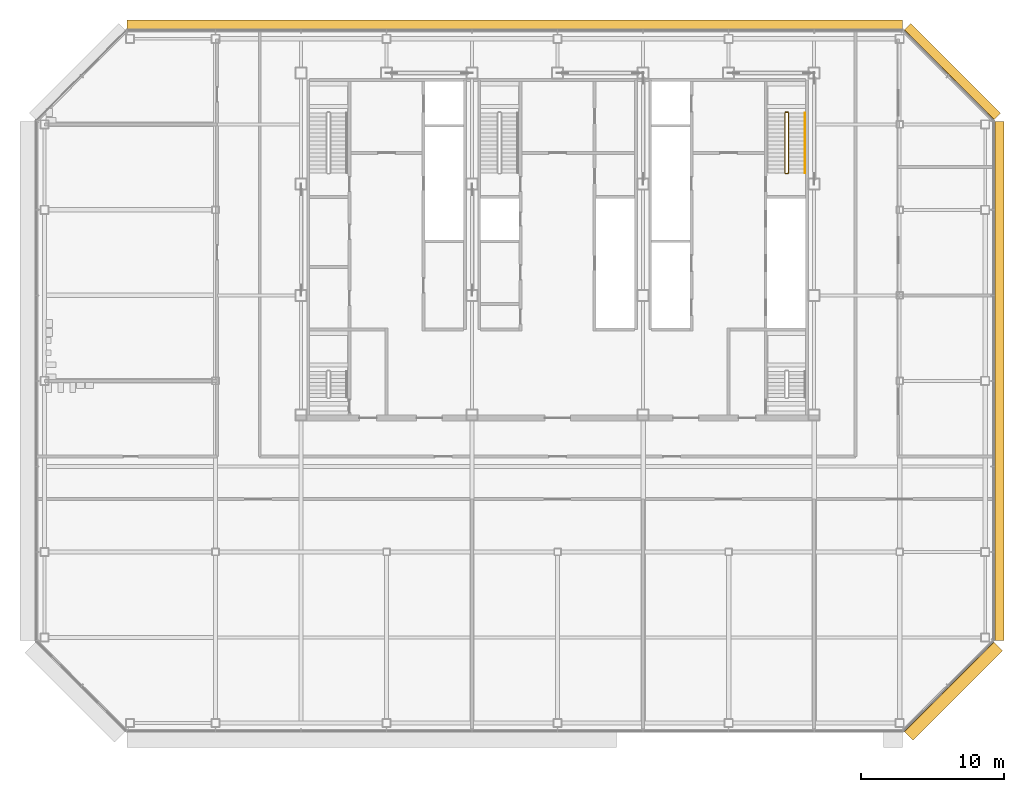
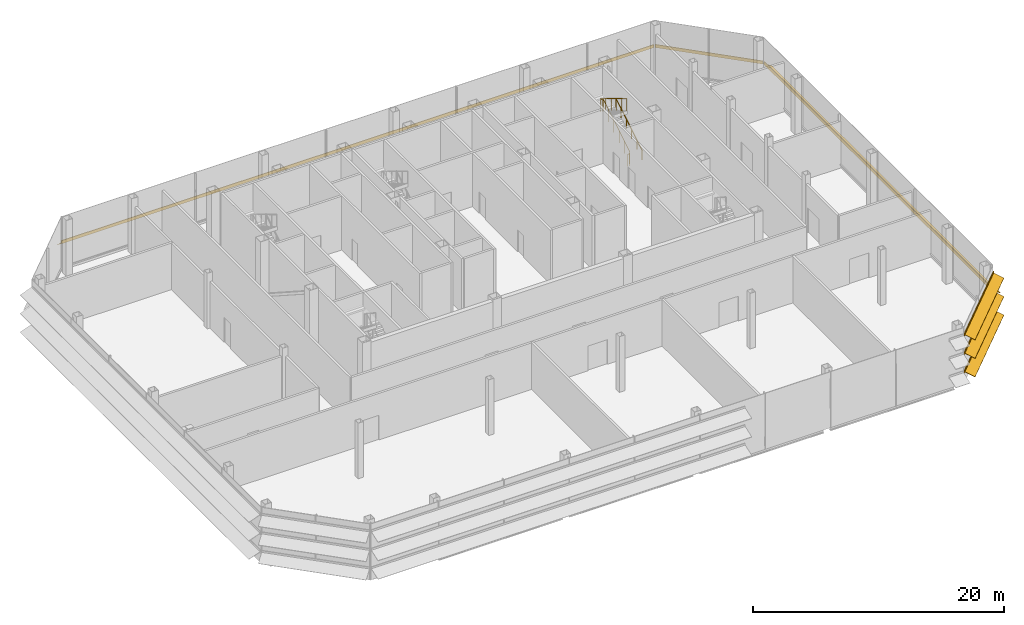
# One storey, part 25 of 26: 4 shading devices, 2 railings.
"""IFC4 building model written with IfcOpenShell, lengths in metres."""

from ifc_helpers import new_model, si_unit, direction, frame, origin, origin_2d, place, context, subcontext, project, spatial, polyline, circle, outline, composite_profile, extrude, material, type_object, element, save


model = new_model("IFC4")

# Units and contexts
model_context = context("Model", 3, precision=1e-05, world=origin(), true_north=direction((0.0, 1.0)))
body_context = subcontext(model_context, "Body", "Model", "MODEL_VIEW")
ifc_project = project(units=[si_unit("LENGTHUNIT", "METRE"), si_unit("AREAUNIT", "SQUARE_METRE"), si_unit("VOLUMEUNIT", "CUBIC_METRE"), si_unit("PLANEANGLEUNIT", "RADIAN"), si_unit("MASSUNIT", "GRAM", prefix="KILO")], contexts=[model_context])

# Site, building, storey
site_placement = place(None, origin())
site = spatial("IfcSite", under=ifc_project, at=site_placement, CompositionType="ELEMENT")
building_placement = place(site_placement, origin())
building = spatial("IfcBuilding", under=site, at=building_placement, Name="Sorahane Residences", CompositionType="ELEMENT")
storey_placement = place(building_placement, frame((0.0, 0.0, 257.60009765625)))
storey = spatial("IfcBuildingStorey", under=building, at=storey_placement, Name="L61", CompositionType="ELEMENT", Elevation=257.60009765625)

# Shading devices
ifc_material_1 = material(Name="Terracotta anodised aluminium", Category="masonry")
shading_device_type_1 = type_object("IfcShadingDeviceType", Name="Louvre sunshade blade E terracotta aluminium 700", PredefinedType="JALOUSIE", material=ifc_material_1)
shading_device_1_placement = place(storey_placement, frame((54.60009765625, 5.801513671875, 2.699951171875), z_axis=(0.0, 1.0, 0.0), x_axis=(-1.0, 0.0, 0.0)))
element("IfcShadingDevice", 1, at=shading_device_1_placement, inside=storey, type_object=shading_device_type_1, Name="Louvre sunshade blade bank E L61 E1", PredefinedType="JALOUSIE", context=body_context, shape_type="SweptSolid", body=[
    extrude(outline(polyline([(-0.719970703125, -0.49365234375), (-0.719970703125, -0.523681640625), (-0.080078125, -0.05859375), (-0.080078125, -0.14990234375), (-0.02001953125, -0.14990234375), (-0.02001953125, -0.014892578125), (-0.02001953125, 0.014892578125), (-0.02001953125, 0.14990234375), (-0.080078125, 0.14990234375), (-0.080078125, -0.028564453125), (-0.719970703125, -0.49365234375)])), origin(), (0.0, 0.0, 1.0), 36.39697265625),
])
ifc_material_2 = material(Name="Terracotta anodised aluminium", Category="masonry")
shading_device_type_2 = type_object("IfcShadingDeviceType", Name="Louvre sunshade blade N terracotta aluminium 700", PredefinedType="JALOUSIE", material=ifc_material_2)
shading_device_2_placement = place(storey_placement, frame((48.198486328125, 48.60009765625, 2.699951171875), z_axis=(-1.0, 0.0, 0.0), x_axis=(0.0, -1.0, 0.0)))
element("IfcShadingDevice", 2, at=shading_device_2_placement, inside=storey, type_object=shading_device_type_2, Name="Louvre sunshade blade bank N L61 N1", PredefinedType="JALOUSIE", context=body_context, shape_type="SweptSolid", body=[
    extrude(outline(polyline([(-0.719970703125, -0.660888671875), (-0.719970703125, -0.69091796875), (-0.080078125, -0.072998046875), (-0.080078125, -0.14990234375), (-0.02001953125, -0.14990234375), (-0.02001953125, -0.014892578125), (-0.02001953125, 0.014892578125), (-0.02001953125, 0.14990234375), (-0.080078125, 0.14990234375), (-0.080078125, -0.04296875), (-0.719970703125, -0.660888671875)])), origin(), (0.0, 0.0, 1.0), 54.39697265625),
])
ifc_material_3 = material(Name="Terracotta anodised aluminium", Category="masonry")
shading_device_type_3 = type_object("IfcShadingDeviceType", Name="Louvre sunshade blade NE terracotta aluminium 700", PredefinedType="JALOUSIE", material=ifc_material_3)
shading_device_3_placement = place(storey_placement, frame((54.564697265625, 42.283935546875, 2.699951171875), z_axis=(-0.707106781187, 0.707106781187, 0.0), x_axis=(-0.707106781187, -0.707106781187, 0.0)))
element("IfcShadingDevice", 3, at=shading_device_3_placement, inside=storey, type_object=shading_device_type_3, Name="Louvre sunshade blade bank NE L61 NE1", PredefinedType="JALOUSIE", context=body_context, shape_type="SweptSolid", body=[
    extrude(outline(polyline([(-0.719970703125, -0.572509765625), (-0.719970703125, -0.602294921875), (-0.080078125, -0.065185546875), (-0.080078125, -0.14990234375), (-0.02001953125, -0.14990234375), (-0.02001953125, -0.014892578125), (-0.02001953125, 0.014892578125), (-0.02001953125, 0.14990234375), (-0.080078125, 0.14990234375), (-0.080078125, -0.035400390625), (-0.719970703125, -0.572509765625)])), origin(), (0.0, 0.0, 1.0), 8.88232421875),
])
ifc_material_4 = material(Name="Terracotta anodised aluminium", Category="masonry")
shading_device_type_4 = type_object("IfcShadingDeviceType", Name="Louvre sunshade blade SE terracotta aluminium 900", PredefinedType="JALOUSIE", material=ifc_material_4)
shading_device_4_placement = place(storey_placement, frame((48.283935546875, -0.564697265625, 0.89990234375), z_axis=(0.707106781187, 0.707106781187, 0.0), x_axis=(-0.707106781187, 0.707106781187, 0.0)))
element("IfcShadingDevice", 4, at=shading_device_4_placement, inside=storey, type_object=shading_device_type_4, Name="Louvre sunshade blade bank SE L61 SE1", PredefinedType="JALOUSIE", context=body_context, shape_type="SweptSolid", body=[
    extrude(composite_profile([outline(polyline([(-0.919921875, -0.3486328125), (-0.919921875, -0.378662109375), (-0.080078125, -0.039306640625), (-0.080078125, -0.14990234375), (-0.02001953125, -0.14990234375), (-0.02001953125, -0.014892578125), (-0.02001953125, 0.014892578125), (-0.02001953125, 0.14990234375), (-0.080078125, 0.14990234375), (-0.080078125, -0.00927734375), (-0.919921875, -0.3486328125)])), outline(polyline([(-0.919921875, 1.451416015625), (-0.919921875, 1.42138671875), (-0.080078125, 1.7607421875), (-0.080078125, 1.64990234375), (-0.02001953125, 1.64990234375), (-0.02001953125, 1.784912109375), (-0.02001953125, 1.81494140625), (-0.02001953125, 1.949951171875), (-0.080078125, 1.949951171875), (-0.080078125, 1.790771484375), (-0.919921875, 1.451416015625)])), outline(polyline([(-0.919921875, 3.25146484375), (-0.919921875, 3.221435546875), (-0.080078125, 3.560791015625), (-0.080078125, 3.449951171875), (-0.02001953125, 3.449951171875), (-0.02001953125, 3.5849609375), (-0.02001953125, 3.614990234375), (-0.02001953125, 3.75), (-0.080078125, 3.75), (-0.080078125, 3.5908203125), (-0.919921875, 3.25146484375)]))]), origin(), (0.0, 0.0, 1.0), 8.88232421875),
])

# Railings
ifc_material_5 = material(Name="Steel Q355B", Category="steel")
railing_type_1 = type_object("IfcRailingType", Name="Stair guard 1200 Steel Q355B", PredefinedType="GUARDRAIL", material=ifc_material_5)
railing_1_placement = place(storey_placement, frame((40.0, 38.550048828125, 0.0)))
element("IfcRailing", 5, at=railing_1_placement, inside=storey, type_object=railing_type_1, Name="L61 S2 stair guard 1", PredefinedType="GUARDRAIL", context=body_context, shape_type="SweptSolid", body=[
    extrude(circle(Radius=0.02392578125, at=origin_2d()), frame((0.0, 0.0, 1.17578125), z_axis=(1.0, 0.0, 0.0), x_axis=(0.0, 1.0, 0.0)), (0.0, 0.0, 1.0), 0.14990234375),
    extrude(circle(Radius=0.02392578125, at=origin_2d()), frame((0.14990234375, 0.0, 1.17578125), z_axis=(0.273569069059, 0.273569069059, 0.922127935218), x_axis=(-0.707106781187, 0.707106781187, 0.0)), (0.0, 0.0, 1.0), 0.182861328125),
    extrude(circle(Radius=0.02392578125, at=origin_2d()), frame((0.199951171875, 0.050048828125, 1.3447265625), z_axis=(0.0, 0.856476492594, 0.516186030065), x_axis=(-1.0, 0.0, 0.0)), (0.0, 0.0, 1.0), 4.90380859375),
    extrude(circle(Radius=0.02392578125, at=origin_2d()), frame((0.199951171875, 4.25, 3.8759765625), z_axis=(-0.707106781187, 0.707106781187, 0.0), x_axis=(-0.707106781187, -0.707106781187, 0.0)), (0.0, 0.0, 1.0), 0.07080078125),
    extrude(circle(Radius=0.02392578125, at=origin_2d()), frame((0.14990234375, 4.300048828125, 3.8759765625), z_axis=(-1.0, 0.0, 0.0), x_axis=(0.0, -1.0, 0.0)), (0.0, 0.0, 1.0), 0.14990234375),
    extrude(circle(Radius=0.02392578125, at=origin_2d()), frame((0.0, 4.300048828125, 3.8759765625), z_axis=(-0.273569069059, -0.273569069059, 0.922127935218), x_axis=(0.707106781187, -0.707106781187, 0.0)), (0.0, 0.0, 1.0), 0.182861328125),
    extrude(circle(Radius=0.02392578125, at=origin_2d()), frame((-0.050048828125, 4.25, 4.04443359375), z_axis=(0.0, -0.856476492594, 0.516186030065), x_axis=(1.0, 0.0, 0.0)), (0.0, 0.0, 1.0), 4.90380859375),
    extrude(circle(Radius=0.02099609375, at=origin_2d()), origin(), (0.0, 0.0, 1.0), 1.15185546875),
    extrude(circle(Radius=0.02099609375, at=origin_2d()), frame((0.14990234375, 0.0, 0.0)), (0.0, 0.0, 1.0), 1.15185546875),
    extrude(circle(Radius=0.02099609375, at=origin_2d()), frame((0.199951171875, 0.050048828125, 0.168701171875)), (0.0, 0.0, 1.0), 1.15185546875),
    extrude(circle(Radius=0.02099609375, at=origin_2d()), frame((0.199951171875, 0.89013671875, 0.675048828125)), (0.0, 0.0, 1.0), 1.15185546875),
    extrude(circle(Radius=0.02099609375, at=origin_2d()), frame((0.199951171875, 1.72998046875, 1.18115234375)), (0.0, 0.0, 1.0), 1.15185546875),
    extrude(circle(Radius=0.02099609375, at=origin_2d()), frame((0.199951171875, 2.570068359375, 1.6875)), (0.0, 0.0, 1.0), 1.15185546875),
    extrude(circle(Radius=0.02099609375, at=origin_2d()), frame((0.199951171875, 3.409912109375, 2.193603515625)), (0.0, 0.0, 1.0), 1.15185546875),
    extrude(circle(Radius=0.02099609375, at=origin_2d()), frame((0.199951171875, 4.25, 2.699951171875)), (0.0, 0.0, 1.0), 1.15185546875),
    extrude(circle(Radius=0.02099609375, at=origin_2d()), frame((0.14990234375, 4.300048828125, 2.699951171875)), (0.0, 0.0, 1.0), 1.15185546875),
    extrude(circle(Radius=0.02099609375, at=origin_2d()), frame((0.0, 4.300048828125, 2.699951171875)), (0.0, 0.0, 1.0), 1.15185546875),
    extrude(circle(Radius=0.02099609375, at=origin_2d()), frame((-0.050048828125, 4.25, 2.86865234375)), (0.0, 0.0, 1.0), 1.15185546875),
    extrude(circle(Radius=0.02099609375, at=origin_2d()), frame((-0.050048828125, 3.409912109375, 3.375)), (0.0, 0.0, 1.0), 1.15185546875),
    extrude(circle(Radius=0.02099609375, at=origin_2d()), frame((-0.050048828125, 2.570068359375, 3.881103515625)), (0.0, 0.0, 1.0), 1.15185546875),
    extrude(circle(Radius=0.02099609375, at=origin_2d()), frame((-0.050048828125, 1.72998046875, 4.387451171875)), (0.0, 0.0, 1.0), 1.15185546875),
    extrude(circle(Radius=0.02099609375, at=origin_2d()), frame((-0.050048828125, 0.89013671875, 4.8935546875)), (0.0, 0.0, 1.0), 1.15185546875),
    extrude(circle(Radius=0.02099609375, at=origin_2d()), frame((-0.050048828125, 0.050048828125, 5.39990234375)), (0.0, 0.0, 1.0), 1.15185546875),
])
ifc_material_6 = material(Name="Steel Q355B", Category="steel")
railing_type_2 = type_object("IfcRailingType", Name="Stair handrail 900 Steel Q355B", PredefinedType="HANDRAIL", material=ifc_material_6)
railing_2_placement = place(storey_placement, frame((41.35009765625, 38.60009765625, 0.168701171875)))
element("IfcRailing", 6, at=railing_2_placement, inside=storey, type_object=railing_type_2, Name="L61 S2 stair handrail 1", PredefinedType="HANDRAIL", context=body_context, shape_type="SweptSolid", body=[
    extrude(circle(Radius=0.02392578125, at=origin_2d()), frame((0.0, 0.0, 0.8759765625), z_axis=(0.0, 0.856476492594, 0.516186030065), x_axis=(-1.0, 0.0, 0.0)), (0.0, 0.0, 1.0), 4.90380859375),
    extrude(circle(Radius=0.02099609375, at=origin_2d()), origin(), (0.0, 0.0, 1.0), 0.851806640625),
    extrude(circle(Radius=0.02099609375, at=origin_2d()), frame((0.0, 0.840087890625, 0.50634765625)), (0.0, 0.0, 1.0), 0.851806640625),
    extrude(circle(Radius=0.02099609375, at=origin_2d()), frame((0.0, 1.679931640625, 1.012451171875)), (0.0, 0.0, 1.0), 0.851806640625),
    extrude(circle(Radius=0.02099609375, at=origin_2d()), frame((0.0, 2.52001953125, 1.518798828125)), (0.0, 0.0, 1.0), 0.851806640625),
    extrude(circle(Radius=0.02099609375, at=origin_2d()), frame((0.0, 3.35986328125, 2.02490234375)), (0.0, 0.0, 1.0), 0.851806640625),
    extrude(circle(Radius=0.02099609375, at=origin_2d()), frame((0.0, 4.199951171875, 2.53125)), (0.0, 0.0, 1.0), 0.851806640625),
])

save(model, "model.ifc")
